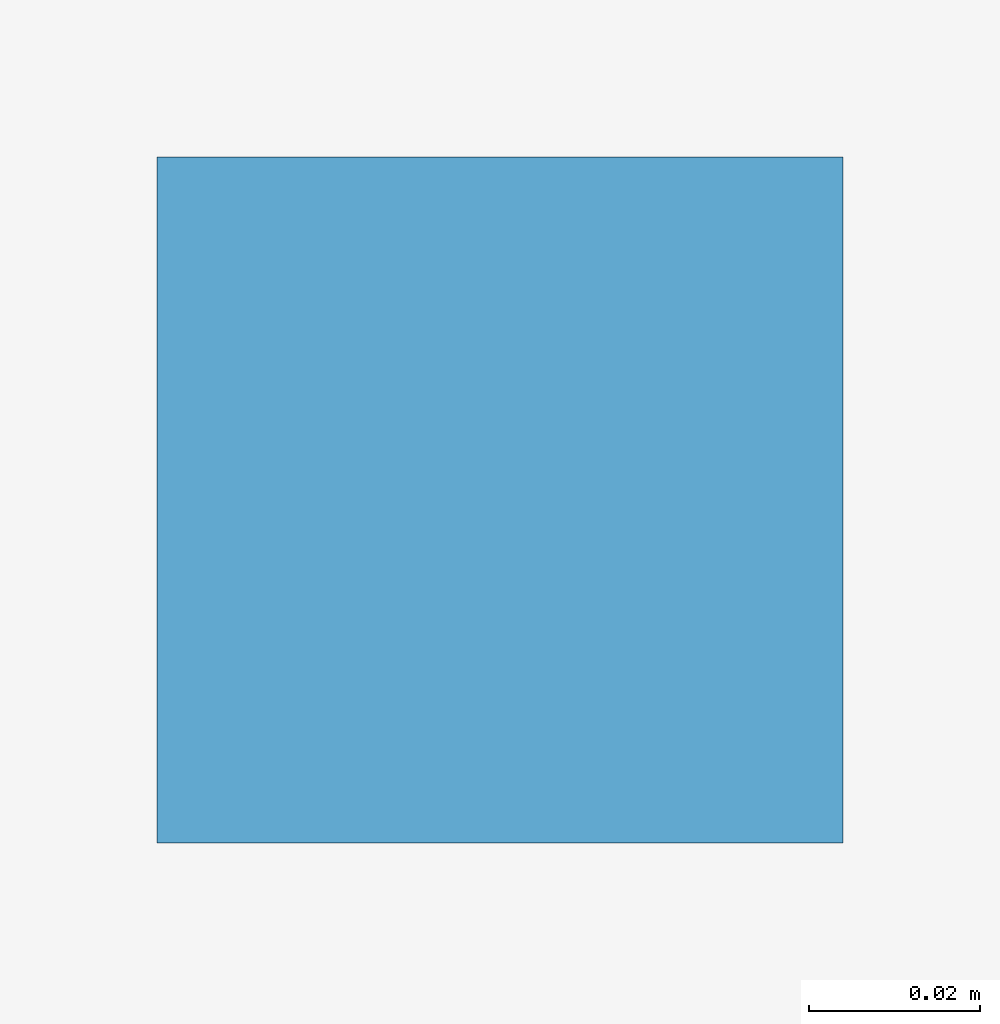
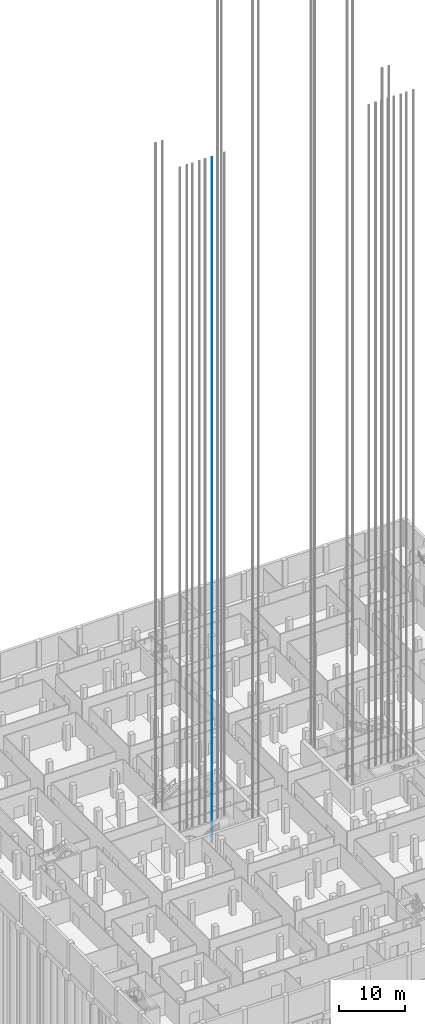
# One storey, part 31 of 54: 1 discrete accessory.
"""IFC4 building model written with IfcOpenShell, lengths in metres."""

import ifcopenshell
import ifcopenshell.guid

model = None  # the IFC model being written
_history = None  # IfcOwnerHistory: only IFC2X3 demands one
_inside = {}  # id of a spatial element -> (the spatial element, [elements in it])
_under = {}  # id of a project, library or spatial element -> (it, [spatial elements below it])
_declared = {}  # id of a project -> (the project, [libraries it declares])
_typed = {}  # id of a type object -> (the type object, [elements of that type])
_made_of = {}  # id of a material, layer set ... -> (it, [elements and type objects made of it])


def new_model(schema):
    """Start an empty IFC model of exactly this schema.

    Asked for "IFC4X3", IfcOpenShell would pick the latest addendum, in which some entities
    have other attributes; the version numbers below select the first issue.
    IFC2X3 requires an IfcOwnerHistory on every rooted entity: one is made here for all.
    """
    global model, _history
    if schema == "IFC4X3":
        model = ifcopenshell.file(schema_version=(4, 3, 0, 0))
    else:
        model = ifcopenshell.file(schema=schema)
    _inside.clear()
    _under.clear()
    _declared.clear()
    _typed.clear()
    _made_of.clear()
    _history = None
    if model.schema == "IFC2X3":
        org = make("IfcOrganization", Name="unknown")
        user = make(
            "IfcPersonAndOrganization",
            ThePerson=make("IfcPerson", FamilyName="unknown"),
            TheOrganization=org,
        )
        app = make(
            "IfcApplication",
            ApplicationDeveloper=org,
            Version="unknown",
            ApplicationFullName="unknown",
            ApplicationIdentifier="unknown",
        )
        _history = make(
            "IfcOwnerHistory",
            OwningUser=user,
            OwningApplication=app,
            ChangeAction="ADDED",
            CreationDate=0,
        )
    return model


def make(cls, **values):
    """One entity of the class cls with the attributes given. An attribute that is None is left unset."""
    return model.create_entity(
        cls, **{name: value for name, value in values.items() if value is not None}
    )


def rooted(cls, **values):
    """An entity with a GlobalId (a new one), such as an element, a storey or a relation."""
    return make(cls, GlobalId=ifcopenshell.guid.new(), OwnerHistory=_history, **values)


def si_unit(unit_type, name, prefix=None):
    """IfcSIUnit, for example si_unit("LENGTHUNIT", "METRE", prefix="MILLI")."""
    return make("IfcSIUnit", UnitType=unit_type, Prefix=prefix, Name=name)


def assignment(units):
    """IfcUnitAssignment: the units of a project."""
    return None if units is None else make("IfcUnitAssignment", Units=units)


def point(xyz):
    """IfcCartesianPoint."""
    return None if xyz is None else make("IfcCartesianPoint", Coordinates=xyz)


def direction(xyz):
    """IfcDirection."""
    return None if xyz is None else make("IfcDirection", DirectionRatios=xyz)


def frame(location, z_axis=None, x_axis=None):
    """IfcAxis2Placement3D, a coordinate frame: its origin and axes. An axis left out is left unset."""
    return make(
        "IfcAxis2Placement3D",
        Location=point(location),
        Axis=direction(z_axis),
        RefDirection=direction(x_axis),
    )


def frame_2d(location, x_axis=None):
    """IfcAxis2Placement2D, a coordinate frame in the plane: its origin and x axis."""
    return make(
        "IfcAxis2Placement2D", Location=point(location), RefDirection=direction(x_axis)
    )


def origin():
    """The frame at (0, 0, 0) with its axes left unset."""
    return frame((0.0, 0.0, 0.0))


def origin_2d():
    """The frame at (0, 0) in the plane with its x axis left unset."""
    return frame_2d((0.0, 0.0))


def place(relative_to, where):
    """IfcLocalPlacement: puts the frame where relative to a parent placement (None: the world)."""
    return make(
        "IfcLocalPlacement", PlacementRelTo=relative_to, RelativePlacement=where
    )


def context(
    kind, dimensions, precision=None, world=None, true_north=None, identifier=None
):
    """IfcGeometricRepresentationContext, for example the 3D "Model" context."""
    return make(
        "IfcGeometricRepresentationContext",
        ContextIdentifier=identifier,
        ContextType=kind,
        CoordinateSpaceDimension=dimensions,
        Precision=precision,
        WorldCoordinateSystem=world,
        TrueNorth=true_north,
    )


def subcontext(parent, identifier, kind, view, scale=None):
    """IfcGeometricRepresentationSubContext, for example "Body" below "Model"."""
    return make(
        "IfcGeometricRepresentationSubContext",
        ContextIdentifier=identifier,
        ContextType=kind,
        ParentContext=parent,
        TargetScale=scale,
        TargetView=view,
    )


def project(units=None, contexts=None):
    """IfcProject with its units and contexts."""
    return rooted(
        "IfcProject",
        Name="project",
        RepresentationContexts=contexts,
        UnitsInContext=assignment(units),
    )


def spatial(cls, under=None, at=None, **own):
    """A site, building, storey or space (cls), placed at a placement, below another one or the project."""
    s = rooted(cls, ObjectPlacement=at, **own)
    if under is not None:
        _under.setdefault(under.id(), (under, []))[1].append(s)
    return s


def profile(cls, at=None, kind="AREA", **sizes):
    """A parametric profile (cls). Its sizes go by their IFC names, for example OverallWidth=200.0."""
    return make(cls, ProfileType=kind, Position=at, **sizes)


def rectangle(**sizes):
    """IfcRectangleProfileDef."""
    return profile("IfcRectangleProfileDef", **sizes)


def extrude(swept, where, along, depth):
    """IfcExtrudedAreaSolid: the profile swept, set in the frame where, extruded along a direction by depth."""
    return make(
        "IfcExtrudedAreaSolid",
        SweptArea=swept,
        Position=where,
        ExtrudedDirection=direction(along),
        Depth=depth,
    )


def shape(context_of_items, identifier, shape_type, items):
    """IfcShapeRepresentation: the items that make up one representation, for example the "Body"."""
    return make(
        "IfcShapeRepresentation",
        ContextOfItems=context_of_items,
        RepresentationIdentifier=identifier,
        RepresentationType=shape_type,
        Items=items,
    )


def material(Name=None, Category=None):
    """IfcMaterial."""
    return make("IfcMaterial", Name=Name, Category=Category)


def made_of(thing, what):
    """Note that an element or type object is made of a material, layer set ...; save() writes the relation."""
    if what is not None:
        _made_of.setdefault(what.id(), (what, []))[1].append(thing)
    return thing


def element(
    cls,
    number,
    at=None,
    inside=None,
    cuts=None,
    type_object=None,
    material=None,
    context=None,
    identifier="Body",
    shape_type=None,
    held_by="IfcProductDefinitionShape",
    body=None,
    shapes=None,
    **own,
):
    """One element of the class cls, such as IfcWall. Its Tag is "e" and its number.

    at: its placement. inside: the storey or other place that contains it. cuts: it is an
    opening in that element (IfcRelVoidsElement). A single representation is given by context,
    identifier, shape_type and body (its items); several are given by shapes. held_by: the class
    of the entity that holds the representations. save() writes the other relations.
    """
    e = rooted(cls, Tag="e%d" % number, ObjectPlacement=at, **own)
    if body is not None:
        shapes = [shape(context, identifier, shape_type, body)]
    if shapes is not None:
        e.Representation = make(held_by, Representations=shapes)
    if inside is not None:
        _inside.setdefault(inside.id(), (inside, []))[1].append(e)
    if cuts is not None:
        rooted(
            "IfcRelVoidsElement", RelatingBuildingElement=cuts, RelatedOpeningElement=e
        )
    if type_object is not None:
        _typed.setdefault(type_object.id(), (type_object, []))[1].append(e)
    return made_of(e, material)


def aggregate(whole, parts):
    """IfcRelAggregates: a whole, such as a stair, and the parts it consists of."""
    return rooted("IfcRelAggregates", RelatingObject=whole, RelatedObjects=parts)


def save(model, path):
    """Write the relations noted so far, then the file.

    IfcRelAggregates (storeys below a building ...), IfcRelContainedInSpatialStructure (elements
    in a storey), IfcRelDefinesByType, IfcRelAssociatesMaterial and IfcRelDeclares: one each for
    every whole, place, type object, material and project.
    """
    for whole, parts in _under.values():
        aggregate(whole, parts)
    for where, things in _inside.values():
        rooted(
            "IfcRelContainedInSpatialStructure",
            RelatedElements=things,
            RelatingStructure=where,
        )
    for kind, things in _typed.values():
        rooted("IfcRelDefinesByType", RelatedObjects=things, RelatingType=kind)
    for what, things in _made_of.values():
        rooted("IfcRelAssociatesMaterial", RelatedObjects=things, RelatingMaterial=what)
    for by, libraries in _declared.values():
        rooted("IfcRelDeclares", RelatingContext=by, RelatedDefinitions=libraries)
    model.write(path)


model = new_model("IFC4")

# Units and contexts
model_context = context("Model", 3, precision=1e-05, world=origin(), true_north=direction((0.0, 1.0)))
body_context = subcontext(model_context, "Body", "Model", "MODEL_VIEW")
ifc_project = project(units=[si_unit("LENGTHUNIT", "METRE"), si_unit("AREAUNIT", "SQUARE_METRE"), si_unit("VOLUMEUNIT", "CUBIC_METRE"), si_unit("PLANEANGLEUNIT", "RADIAN"), si_unit("MASSUNIT", "GRAM", prefix="KILO")], contexts=[model_context])

# Site, building, storey
site_placement = place(None, origin())
site = spatial("IfcSite", under=ifc_project, at=site_placement, CompositionType="ELEMENT")
building_placement = place(site_placement, origin())
building = spatial("IfcBuilding", under=site, at=building_placement, Name="Fustian Cross Tower", CompositionType="ELEMENT")
storey_placement = place(building_placement, frame((0.0, 0.0, -4.800048828125)))
storey = spatial("IfcBuildingStorey", under=building, at=storey_placement, Name="B1", CompositionType="ELEMENT", Elevation=-4.800048828125)

# Discrete accessory
ifc_material = material(Name="Steel S355", Category="steel")
discrete_accessory_placement = place(storey_placement, frame((-14.875, -3.7099609375, 0.0), z_axis=(0.0, 0.0, 1.0), x_axis=(1.0, 0.0, 0.0)))
element("IfcDiscreteAccessory", 1, at=discrete_accessory_placement, inside=storey, material=ifc_material, Name="Lift guide rail LR2W 2", PredefinedType="NOTDEFINED", context=body_context, shape_type="SweptSolid", body=[
    extrude(rectangle(XDim=0.080078125, YDim=0.080078125, at=origin_2d()), origin(), (0.0, 0.0, 1.0), 127.14990234375),
])

save(model, "model.ifc")
